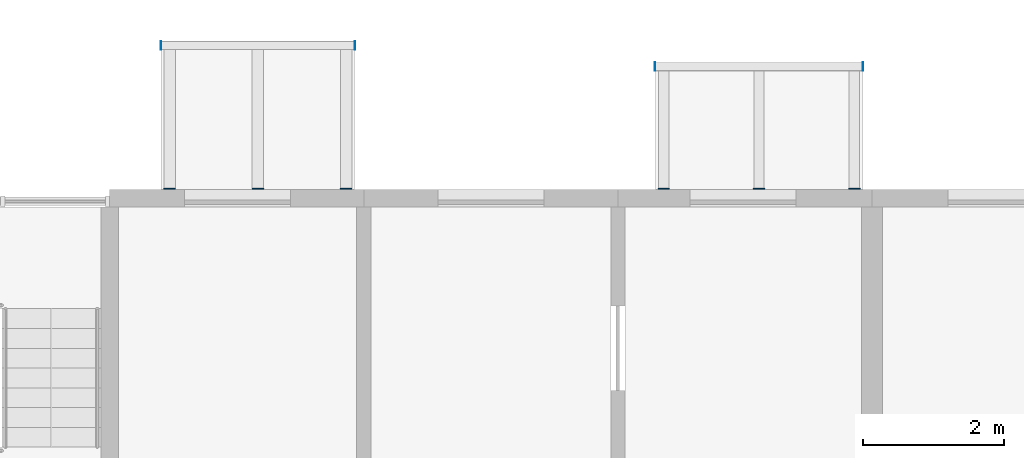
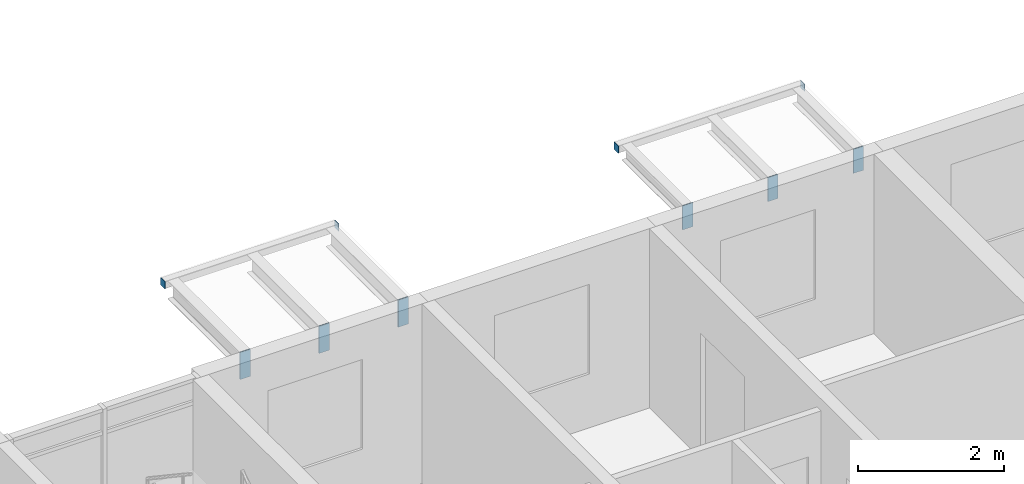
# One storey, part 72 of 100: 10 discrete accessories.
"""IFC4 building model written with IfcOpenShell, lengths in metres."""

from ifc_helpers import new_model, si_unit, direction, frame, origin, origin_2d, place, context, subcontext, project, spatial, rectangle, extrude, material, layer, layer_set, type_object, element, save


model = new_model("IFC4")

# Units and contexts
model_context = context("Model", 3, precision=1e-05, world=origin(), true_north=direction((0.0, 1.0)))
body_context = subcontext(model_context, "Body", "Model", "MODEL_VIEW")
ifc_project = project(units=[si_unit("LENGTHUNIT", "METRE"), si_unit("AREAUNIT", "SQUARE_METRE"), si_unit("VOLUMEUNIT", "CUBIC_METRE"), si_unit("PLANEANGLEUNIT", "RADIAN"), si_unit("MASSUNIT", "GRAM", prefix="KILO")], contexts=[model_context])

# Site, building, storey
site_placement = place(None, origin())
site = spatial("IfcSite", under=ifc_project, at=site_placement, CompositionType="ELEMENT")
building_placement = place(site_placement, origin())
building = spatial("IfcBuilding", under=site, at=building_placement, Name="Ridgestep Commons", CompositionType="ELEMENT")
storey_placement = place(building_placement, frame((0.0, 0.0, 9.0)))
storey = spatial("IfcBuildingStorey", under=building, at=storey_placement, Name="L03", CompositionType="ELEMENT", Elevation=9.0)

# Discrete accessories
ifc_material_1 = material(Name="Weathering steel S355J2W", Category="steel")
ifc_layer_1 = layer(ifc_material_1, 0.014892578125)
ifc_layer_set_1 = layer_set([ifc_layer_1], Name="Tray bracket plate 15")
discrete_accessory_type_1 = type_object("IfcDiscreteAccessoryType", Name="Tray bracket plate 15", PredefinedType="BRACKET", material=ifc_layer_set_1)
for number, where, z_axis, x_axis, name in (
    (1, (211.050048828125, 77.257568359375, 2.588623046875), (0.0, 0.0, 1.0), (1.0, 0.0, 0.0), "Tray bracket C4T1-04.1"),
    (2, (212.39990234375, 77.257568359375, 2.588623046875), (0.0, 0.0, 1.0), (1.0, 0.0, 0.0), "Tray bracket C4T1-04.2"),
    (3, (213.75, 77.257568359375, 2.588623046875), (0.0, 0.0, 1.0), (1.0, 0.0, 0.0), "Tray bracket C4T1-04.3"),
):
    element("IfcDiscreteAccessory", number, at=place(storey_placement, frame(where, z_axis=z_axis, x_axis=x_axis)), inside=storey, type_object=discrete_accessory_type_1, Name=name, PredefinedType="BRACKET", context=body_context, shape_type="SweptSolid", body=[
        extrude(rectangle(XDim=0.159912109375, YDim=0.014892578125, at=origin_2d()), origin(), (0.0, 0.0, 1.0), 0.4013671875),
    ])
for number, where, z_axis, x_axis, name in (
    (4, (204.050048828125, 77.257568359375, 2.53662109375), (0.0, 0.0, 1.0), (1.0, 0.0, 0.0), "Tray bracket C4T3-04.1"),
    (5, (205.300048828125, 77.257568359375, 2.53662109375), (0.0, 0.0, 1.0), (1.0, 0.0, 0.0), "Tray bracket C4T3-04.2"),
    (6, (206.550048828125, 77.257568359375, 2.53662109375), (0.0, 0.0, 1.0), (1.0, 0.0, 0.0), "Tray bracket C4T3-04.3"),
):
    element("IfcDiscreteAccessory", number, at=place(storey_placement, frame(where, z_axis=z_axis, x_axis=x_axis)), inside=storey, type_object=discrete_accessory_type_1, Name=name, PredefinedType="BRACKET", context=body_context, shape_type="SweptSolid", body=[
        extrude(rectangle(XDim=0.159912109375, YDim=0.014892578125, at=origin_2d()), origin(), (0.0, 0.0, 1.0), 0.453369140625),
    ])
ifc_material_2 = material(Name="Weathering steel S355J2W", Category="steel")
ifc_layer_2 = layer(ifc_material_2, 0.008056640625)
ifc_layer_set_2 = layer_set([ifc_layer_2], Name="Tray edge member end plate 120 x 120 x 8")
discrete_accessory_type_2 = type_object("IfcDiscreteAccessoryType", Name="Tray edge member end plate 120 x 120 x 8", PredefinedType="BRACKET", material=ifc_layer_set_2)
for number, where, z_axis, x_axis, name in (
    (7, (210.926025390625, 78.989990234375, 2.869873046875), (0.0, 0.0, 1.0), (1.0, 0.0, 0.0), "Tray edge member end plate C4T1-04 west"),
    (8, (213.8740234375, 78.989990234375, 2.869873046875), (0.0, 0.0, 1.0), (1.0, 0.0, 0.0), "Tray edge member end plate C4T1-04 east"),
    (9, (203.926025390625, 79.2900390625, 2.869873046875), (0.0, 0.0, 1.0), (1.0, 0.0, 0.0), "Tray edge member end plate C4T3-04 west"),
    (10, (206.674072265625, 79.2900390625, 2.869873046875), (0.0, 0.0, 1.0), (1.0, 0.0, 0.0), "Tray edge member end plate C4T3-04 east"),
):
    element("IfcDiscreteAccessory", number, at=place(storey_placement, frame(where, z_axis=z_axis, x_axis=x_axis)), inside=storey, type_object=discrete_accessory_type_2, Name=name, PredefinedType="BRACKET", context=body_context, shape_type="SweptSolid", body=[
        extrude(rectangle(XDim=0.008056640625, YDim=0.1201171875, at=origin_2d()), origin(), (0.0, 0.0, 1.0), 0.1201171875),
    ])

save(model, "model.ifc")
